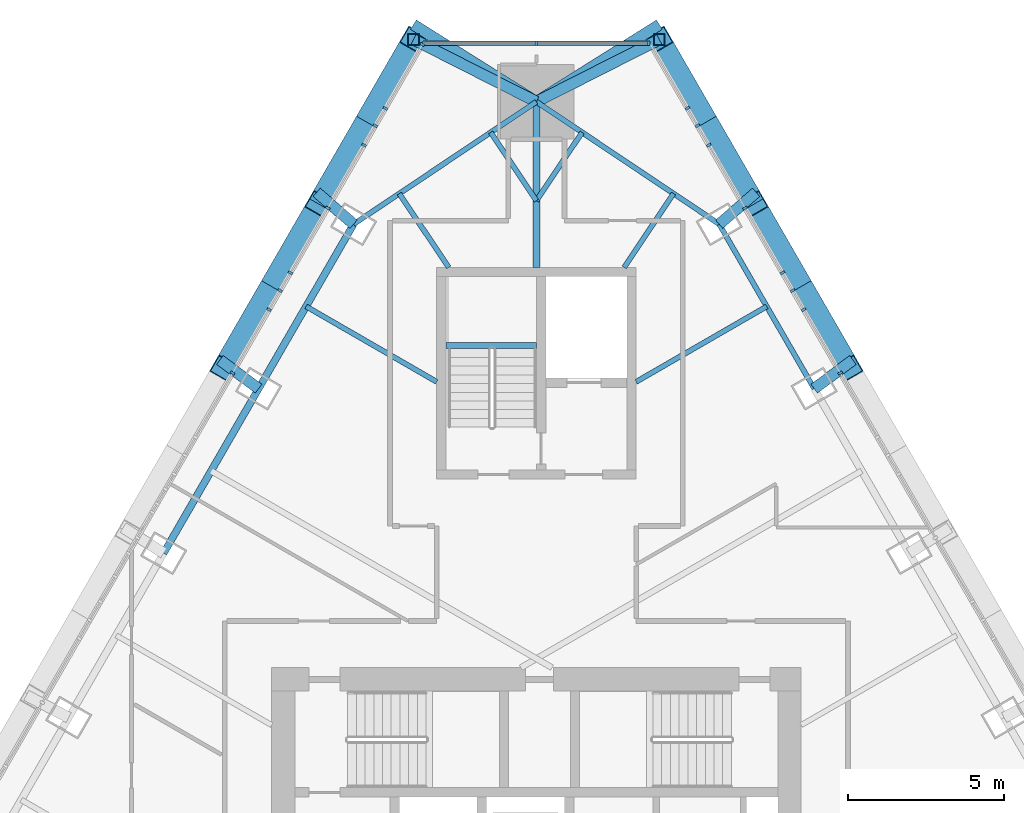
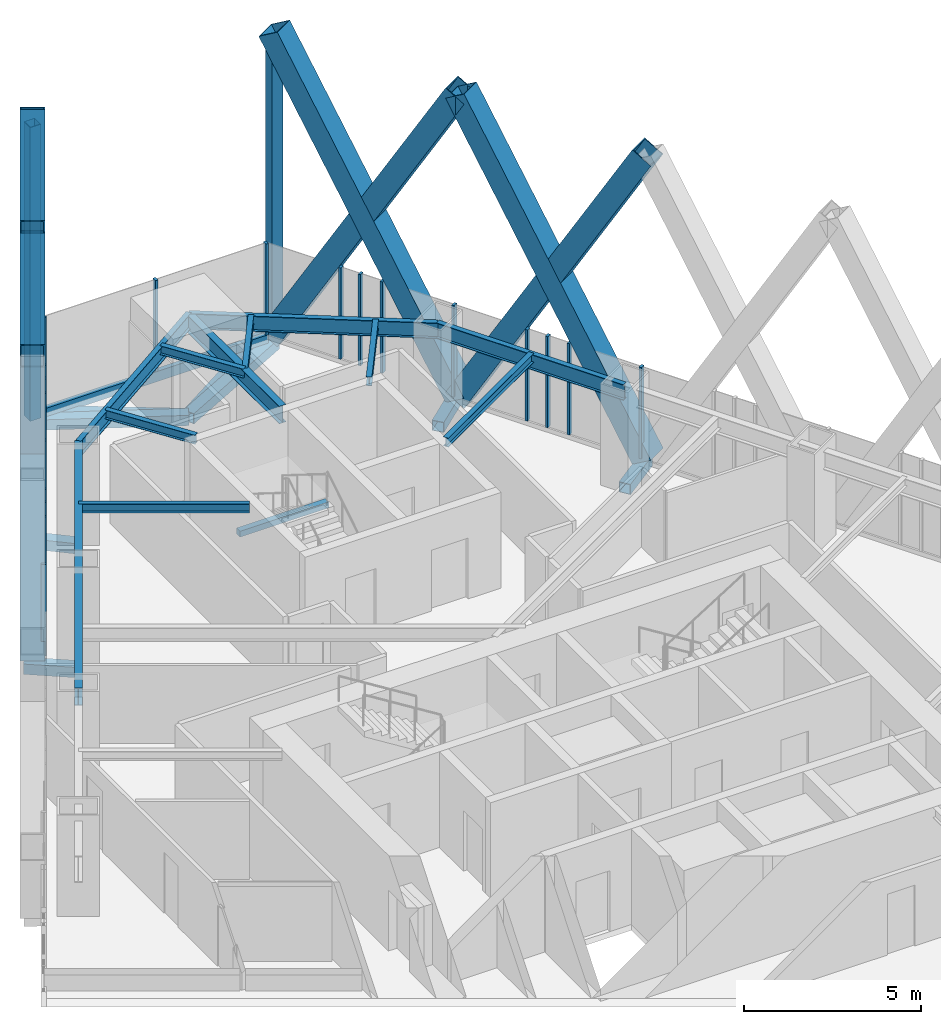
# One storey, part 9 of 23: 38 members, 12 beams, 3 elements without a shape of their own.
"""IFC4 building model written with IfcOpenShell, lengths in metres."""

from ifc_helpers import new_model, si_unit, direction, frame, origin, origin_2d, place, context, subcontext, project, spatial, rectangle, hollow_rectangle, i_section, extrude, material, layer, layer_set, material_profile, profile_set, type_object, element, aggregate, save


model = new_model("IFC4")

# Units and contexts
model_context = context("Model", 3, precision=1e-05, world=origin(), true_north=direction((0.0, 1.0)))
body_context = subcontext(model_context, "Body", "Model", "MODEL_VIEW")
ifc_project = project(units=[si_unit("LENGTHUNIT", "METRE"), si_unit("AREAUNIT", "SQUARE_METRE"), si_unit("VOLUMEUNIT", "CUBIC_METRE"), si_unit("PLANEANGLEUNIT", "RADIAN"), si_unit("MASSUNIT", "GRAM", prefix="KILO")], contexts=[model_context])

# Site, building, storey
site_placement = place(None, origin())
site = spatial("IfcSite", under=ifc_project, at=site_placement, CompositionType="ELEMENT")
building_placement = place(site_placement, origin())
building = spatial("IfcBuilding", under=site, at=building_placement, Name="Firuza Gate Tower and Library", CompositionType="ELEMENT")
storey_placement = place(building_placement, frame((0.0, 0.0, 302.10009765625)))
storey = spatial("IfcBuildingStorey", under=building, at=storey_placement, Name="L73", CompositionType="ELEMENT", Elevation=302.10009765625)

# Members
ifc_material_1 = material(Name="Steel S355", Category="steel")
ifc_material_profile_1 = material_profile(ifc_material_1, hollow_rectangle(XDim=0.699951171875, YDim=0.699951171875, WallThickness=0.030029296875, at=origin_2d()))
ifc_profile_set_1 = profile_set([ifc_material_profile_1], Name="Steel S355")
member_type_1 = type_object("IfcMemberType", Name="BU700x700x30 Lattice brace", PredefinedType="BRACE", material=ifc_profile_set_1)
for number, where, z_axis, x_axis, name in (
    (1, (85.04248046875, 91.356689453125, 0.0), (-0.251053441177, 0.434804049545, 0.86482229861), (-0.866008839158, -0.500028689677, 0.0), "Lattice brace E 19.6R"),
    (2, (81.994384765625, 96.6357421875, 0.0), (0.251053441177, -0.434804049545, 0.86482229861), (0.866008839158, 0.500028689677, 0.0), "Lattice brace E 19.6L"),
):
    element("IfcMember", number, at=place(storey_placement, frame(where, z_axis=z_axis, x_axis=x_axis)), inside=storey, type_object=member_type_1, Name=name, PredefinedType="BRACE", context=body_context, shape_type="SweptSolid", body=[
        extrude(hollow_rectangle(XDim=0.699951171875, YDim=0.699951171875, WallThickness=0.030029296875, at=origin_2d()), origin(), (0.0, 0.0, 1.0), 12.14111328125),
    ])
for number, where, z_axis, x_axis, name in (
    (3, (81.994384765625, 96.6357421875, 0.0), (-0.251051246141, 0.434820356151, 0.864814737206), (-0.866018852375, -0.500011347202, 0.0), "Lattice brace E 19.7R"),
    (4, (78.9462890625, 101.9150390625, 0.0), (0.251051246141, -0.434820356151, 0.864814737206), (0.866018852375, 0.500011347202, 0.0), "Lattice brace E 19.7L"),
    (5, (71.0537109375, 101.9150390625, 0.0), (-0.251051246141, -0.434820356151, 0.864814737206), (0.866018852375, -0.500011347202, 0.0), "Lattice brace W 19.1R"),
    (6, (68.005615234375, 96.6357421875, 0.0), (0.251051246141, 0.434820356151, 0.864814737206), (-0.866018852375, 0.500011347202, 0.0), "Lattice brace W 19.1L"),
):
    element("IfcMember", number, at=place(storey_placement, frame(where, z_axis=z_axis, x_axis=x_axis)), inside=storey, type_object=member_type_1, Name=name, PredefinedType="BRACE", context=body_context, shape_type="SweptSolid", body=[
        extrude(hollow_rectangle(XDim=0.699951171875, YDim=0.699951171875, WallThickness=0.030029296875, at=origin_2d()), origin(), (0.0, 0.0, 1.0), 12.141357421875),
    ])
for number, where, z_axis, x_axis, name in (
    (7, (68.005615234375, 96.6357421875, 0.0), (-0.251053441177, -0.434804049545, 0.86482229861), (0.866008839158, -0.500028689677, 0.0), "Lattice brace W 19.2R"),
    (8, (64.95751953125, 91.356689453125, 0.0), (0.251053441177, 0.434804049545, 0.86482229861), (-0.866008839158, 0.500028689677, 0.0), "Lattice brace W 19.2L"),
):
    element("IfcMember", number, at=place(storey_placement, frame(where, z_axis=z_axis, x_axis=x_axis)), inside=storey, type_object=member_type_1, Name=name, PredefinedType="BRACE", context=body_context, shape_type="SweptSolid", body=[
        extrude(hollow_rectangle(XDim=0.699951171875, YDim=0.699951171875, WallThickness=0.030029296875, at=origin_2d()), origin(), (0.0, 0.0, 1.0), 12.14111328125),
    ])

# Curtain wall, members
ifc_material_2 = material(Name="Aluminium 6063-T6", Category="aluminium")
ifc_layer_1 = layer(ifc_material_2, 0.14990234375)
ifc_layer_set_1 = layer_set([ifc_layer_1], Name="Unitised curtain wall, residences")
curtain_wall_type_1 = type_object("IfcCurtainWallType", Name="Unitised curtain wall, residences", PredefinedType="NOTDEFINED", material=ifc_layer_set_1)
placement = place(storey_placement, origin())
curtain_wall_1 = element("IfcCurtainWall", 9, at=placement, inside=storey, type_object=curtain_wall_type_1, Name="CW3 L73 E face", PredefinedType="NOTDEFINED")
ifc_material_3 = material(Name="Aluminium 6063-T6", Category="aluminium")
ifc_material_profile_2 = material_profile(ifc_material_3, rectangle(XDim=0.14990234375, YDim=0.080078125, at=origin_2d()))
ifc_profile_set_2 = profile_set([ifc_material_profile_2], Name="Aluminium 6063-T6")
member_type_2 = type_object("IfcMemberType", Name="Curtain wall mullion 80x150", PredefinedType="MULLION", material=ifc_profile_set_2)
member_1_placement = place(storey_placement, frame((84.751708984375, 91.210205078125, 0.14990234375), z_axis=(0.0, 0.0, 1.0), x_axis=(-0.866025403784, -0.5, 0.0)))
member_1 = element("IfcMember", 10, at=member_1_placement, type_object=member_type_2, Name="Mullion", PredefinedType="MULLION", context=body_context, shape_type="SweptSolid", body=[
    extrude(rectangle(XDim=0.14990234375, YDim=0.080078125, at=origin_2d()), origin(), (0.0, 0.0, 1.0), 3.14990234375),
])
member_2_placement = place(storey_placement, frame((83.224609375, 93.855224609375, 0.14990234375), z_axis=(0.0, 0.0, 1.0), x_axis=(-0.866025403784, -0.5, 0.0)))
member_2 = element("IfcMember", 11, at=member_2_placement, type_object=member_type_2, Name="Mullion", PredefinedType="MULLION", context=body_context, shape_type="SweptSolid", body=[
    extrude(rectangle(XDim=0.14990234375, YDim=0.080078125, at=origin_2d()), origin(), (0.0, 0.0, 1.0), 3.14990234375),
])
member_3_placement = place(storey_placement, frame((81.697509765625, 96.500244140625, 0.14990234375), z_axis=(0.0, 0.0, 1.0), x_axis=(-0.866025403784, -0.5, 0.0)))
member_3 = element("IfcMember", 12, at=member_3_placement, type_object=member_type_2, Name="Mullion", PredefinedType="MULLION", context=body_context, shape_type="SweptSolid", body=[
    extrude(rectangle(XDim=0.14990234375, YDim=0.080078125, at=origin_2d()), origin(), (0.0, 0.0, 1.0), 3.14990234375),
])
member_4_placement = place(storey_placement, frame((80.17041015625, 99.145263671875, 0.14990234375), z_axis=(0.0, 0.0, 1.0), x_axis=(-0.866025403784, -0.5, 0.0)))
member_4 = element("IfcMember", 13, at=member_4_placement, type_object=member_type_2, Name="Mullion", PredefinedType="MULLION", context=body_context, shape_type="SweptSolid", body=[
    extrude(rectangle(XDim=0.14990234375, YDim=0.080078125, at=origin_2d()), origin(), (0.0, 0.0, 1.0), 3.14990234375),
])
member_5_placement = place(storey_placement, frame((83.578125, 93.24267578125, 0.14990234375), z_axis=(0.0, 0.0, 1.0), x_axis=(-0.866025403784, -0.5, 0.0)))
member_5 = element("IfcMember", 14, at=member_5_placement, type_object=member_type_2, Name="Mullion", PredefinedType="MULLION", context=body_context, shape_type="SweptSolid", body=[
    extrude(rectangle(XDim=0.14990234375, YDim=0.080078125, at=origin_2d()), origin(), (0.0, 0.0, 1.0), 3.14990234375),
])
member_6_placement = place(storey_placement, frame((82.895751953125, 94.4248046875, 0.14990234375), z_axis=(0.0, 0.0, 1.0), x_axis=(-0.866025403784, -0.5, 0.0)))
member_6 = element("IfcMember", 15, at=member_6_placement, type_object=member_type_2, Name="Mullion", PredefinedType="MULLION", context=body_context, shape_type="SweptSolid", body=[
    extrude(rectangle(XDim=0.14990234375, YDim=0.080078125, at=origin_2d()), origin(), (0.0, 0.0, 1.0), 3.14990234375),
])
member_7_placement = place(storey_placement, frame((80.5302734375, 98.52197265625, 0.14990234375), z_axis=(0.0, 0.0, 1.0), x_axis=(-0.866025403784, -0.5, 0.0)))
member_7 = element("IfcMember", 16, at=member_7_placement, type_object=member_type_2, Name="Mullion", PredefinedType="MULLION", context=body_context, shape_type="SweptSolid", body=[
    extrude(rectangle(XDim=0.14990234375, YDim=0.080078125, at=origin_2d()), origin(), (0.0, 0.0, 1.0), 3.14990234375),
])
member_8_placement = place(storey_placement, frame((79.84765625, 99.7041015625, 0.14990234375), z_axis=(0.0, 0.0, 1.0), x_axis=(-0.866025403784, -0.5, 0.0)))
member_8 = element("IfcMember", 17, at=member_8_placement, type_object=member_type_2, Name="Mullion", PredefinedType="MULLION", context=body_context, shape_type="SweptSolid", body=[
    extrude(rectangle(XDim=0.14990234375, YDim=0.080078125, at=origin_2d()), origin(), (0.0, 0.0, 1.0), 3.14990234375),
])
aggregate(curtain_wall_1, [member_1, member_2, member_3, member_4, member_5, member_6, member_7, member_8])

ifc_material_4 = material(Name="Aluminium 6063-T6", Category="aluminium")
ifc_layer_2 = layer(ifc_material_4, 0.14990234375)
ifc_layer_set_2 = layer_set([ifc_layer_2], Name="Corner curtain wall, chamfers")
curtain_wall_type_2 = type_object("IfcCurtainWallType", Name="Corner curtain wall, chamfers", PredefinedType="NOTDEFINED", material=ifc_layer_set_2)
curtain_wall_2 = element("IfcCurtainWall", 18, at=placement, inside=storey, type_object=curtain_wall_type_2, Name="CW4 L73 N corner", PredefinedType="NOTDEFINED")
member_9_placement = place(storey_placement, frame((78.603271484375, 101.7900390625, 0.14990234375), z_axis=(0.0, 0.0, 1.0), x_axis=(0.0, -1.0, 0.0)))
member_9 = element("IfcMember", 19, at=member_9_placement, type_object=member_type_2, Name="Mullion", PredefinedType="MULLION", context=body_context, shape_type="SweptSolid", body=[
    extrude(rectangle(XDim=0.14990234375, YDim=0.080078125, at=origin_2d()), origin(), (0.0, 0.0, 1.0), 3.14990234375),
])
member_10_placement = place(storey_placement, frame((75.0, 101.7900390625, 0.14990234375), z_axis=(0.0, 0.0, 1.0), x_axis=(0.0, -1.0, 0.0)))
member_10 = element("IfcMember", 20, at=member_10_placement, type_object=member_type_2, Name="Mullion", PredefinedType="MULLION", context=body_context, shape_type="SweptSolid", body=[
    extrude(rectangle(XDim=0.14990234375, YDim=0.080078125, at=origin_2d()), origin(), (0.0, 0.0, 1.0), 3.14990234375),
])

curtain_wall_3 = element("IfcCurtainWall", 21, at=placement, inside=storey, type_object=curtain_wall_type_1, Name="CW3 L73 W face", PredefinedType="NOTDEFINED")
member_11_placement = place(storey_placement, frame((71.336669921875, 101.755615234375, 0.14990234375), z_axis=(0.0, 0.0, 1.0), x_axis=(0.866025403784, -0.5, 0.0)))
member_11 = element("IfcMember", 22, at=member_11_placement, type_object=member_type_2, Name="Mullion", PredefinedType="MULLION", context=body_context, shape_type="SweptSolid", body=[
    extrude(rectangle(XDim=0.14990234375, YDim=0.080078125, at=origin_2d()), origin(), (0.0, 0.0, 1.0), 3.14990234375),
])
member_12_placement = place(storey_placement, frame((69.82958984375, 99.145263671875, 0.14990234375), z_axis=(0.0, 0.0, 1.0), x_axis=(0.866025403784, -0.5, 0.0)))
member_12 = element("IfcMember", 23, at=member_12_placement, type_object=member_type_2, Name="Mullion", PredefinedType="MULLION", context=body_context, shape_type="SweptSolid", body=[
    extrude(rectangle(XDim=0.14990234375, YDim=0.080078125, at=origin_2d()), origin(), (0.0, 0.0, 1.0), 3.14990234375),
])
member_13_placement = place(storey_placement, frame((68.302490234375, 96.500244140625, 0.14990234375), z_axis=(0.0, 0.0, 1.0), x_axis=(0.866025403784, -0.5, 0.0)))
member_13 = element("IfcMember", 24, at=member_13_placement, type_object=member_type_2, Name="Mullion", PredefinedType="MULLION", context=body_context, shape_type="SweptSolid", body=[
    extrude(rectangle(XDim=0.14990234375, YDim=0.080078125, at=origin_2d()), origin(), (0.0, 0.0, 1.0), 3.14990234375),
])
member_14_placement = place(storey_placement, frame((66.775390625, 93.855224609375, 0.14990234375), z_axis=(0.0, 0.0, 1.0), x_axis=(0.866025403784, -0.5, 0.0)))
member_14 = element("IfcMember", 25, at=member_14_placement, type_object=member_type_2, Name="Mullion", PredefinedType="MULLION", context=body_context, shape_type="SweptSolid", body=[
    extrude(rectangle(XDim=0.14990234375, YDim=0.080078125, at=origin_2d()), origin(), (0.0, 0.0, 1.0), 3.14990234375),
])
member_15_placement = place(storey_placement, frame((65.248291015625, 91.210205078125, 0.14990234375), z_axis=(0.0, 0.0, 1.0), x_axis=(0.866025403784, -0.5, 0.0)))
member_15 = element("IfcMember", 26, at=member_15_placement, type_object=member_type_2, Name="Mullion", PredefinedType="MULLION", context=body_context, shape_type="SweptSolid", body=[
    extrude(rectangle(XDim=0.14990234375, YDim=0.080078125, at=origin_2d()), origin(), (0.0, 0.0, 1.0), 3.14990234375),
])
member_16_placement = place(storey_placement, frame((70.15234375, 99.7041015625, 0.14990234375), z_axis=(0.0, 0.0, 1.0), x_axis=(0.866025403784, -0.5, 0.0)))
member_16 = element("IfcMember", 27, at=member_16_placement, type_object=member_type_2, Name="Mullion", PredefinedType="MULLION", context=body_context, shape_type="SweptSolid", body=[
    extrude(rectangle(XDim=0.14990234375, YDim=0.080078125, at=origin_2d()), origin(), (0.0, 0.0, 1.0), 3.14990234375),
])
member_17_placement = place(storey_placement, frame((69.4697265625, 98.52197265625, 0.14990234375), z_axis=(0.0, 0.0, 1.0), x_axis=(0.866025403784, -0.5, 0.0)))
member_17 = element("IfcMember", 28, at=member_17_placement, type_object=member_type_2, Name="Mullion", PredefinedType="MULLION", context=body_context, shape_type="SweptSolid", body=[
    extrude(rectangle(XDim=0.14990234375, YDim=0.080078125, at=origin_2d()), origin(), (0.0, 0.0, 1.0), 3.14990234375),
])
member_18_placement = place(storey_placement, frame((67.104248046875, 94.4248046875, 0.14990234375), z_axis=(0.0, 0.0, 1.0), x_axis=(0.866025403784, -0.5, 0.0)))
member_18 = element("IfcMember", 29, at=member_18_placement, type_object=member_type_2, Name="Mullion", PredefinedType="MULLION", context=body_context, shape_type="SweptSolid", body=[
    extrude(rectangle(XDim=0.14990234375, YDim=0.080078125, at=origin_2d()), origin(), (0.0, 0.0, 1.0), 3.14990234375),
])
member_19_placement = place(storey_placement, frame((66.421875, 93.24267578125, 0.14990234375), z_axis=(0.0, 0.0, 1.0), x_axis=(0.866025403784, -0.5, 0.0)))
member_19 = element("IfcMember", 30, at=member_19_placement, type_object=member_type_2, Name="Mullion", PredefinedType="MULLION", context=body_context, shape_type="SweptSolid", body=[
    extrude(rectangle(XDim=0.14990234375, YDim=0.080078125, at=origin_2d()), origin(), (0.0, 0.0, 1.0), 3.14990234375),
])
aggregate(curtain_wall_3, [member_11, member_12, member_13, member_14, member_15, member_16, member_17, member_18, member_19])

# Member
ifc_material_5 = material(Name="Aluminium 6063-T6", Category="aluminium")
ifc_material_profile_3 = material_profile(ifc_material_5, rectangle(XDim=0.14990234375, YDim=0.35009765625, at=origin_2d()))
ifc_profile_set_3 = profile_set([ifc_material_profile_3], Name="Aluminium 6063-T6")
member_type_3 = type_object("IfcMemberType", Name="Curtain wall transom 350x150", PredefinedType="USERDEFINED", material=ifc_profile_set_3)
member_20_placement = place(storey_placement, frame((78.643310546875, 101.7900390625, -0.025146484375), z_axis=(-1.0, 0.0, 0.0), x_axis=(0.0, -1.0, 0.0)))
member_20 = element("IfcMember", 31, at=member_20_placement, type_object=member_type_3, Name="Transom", ObjectType="TRANSOM", PredefinedType="USERDEFINED", context=body_context, shape_type="SweptSolid", body=[
    extrude(rectangle(XDim=0.14990234375, YDim=0.35009765625, at=origin_2d()), origin(), (0.0, 0.0, 1.0), 7.28662109375),
])

aggregate(curtain_wall_2, [member_9, member_10, member_20])

# Members
ifc_material_6 = material(Name="Steel S355", Category="steel")
ifc_material_profile_4 = material_profile(ifc_material_6, hollow_rectangle(XDim=0.355712890625, YDim=0.355712890625, WallThickness=0.014892578125, at=origin_2d()))
ifc_profile_set_4 = profile_set([ifc_material_profile_4], Name="Steel S355")
member_type_4 = type_object("IfcMemberType", Name="HSS356x356x16 Lattice corner stile", PredefinedType="BRACE", material=ifc_profile_set_4)
for number, where, z_axis, x_axis, name in (
    (32, (78.9462890625, 101.9150390625, -0.14013671875), (0.0, 0.0, 1.0), (1.0, 0.0, 0.0), "Lattice corner stile E 19.B"),
    (33, (71.0537109375, 101.9150390625, -0.14013671875), (0.0, 0.0, 1.0), (1.0, 0.0, 0.0), "Lattice corner stile W 19.A"),
):
    element("IfcMember", number, at=place(storey_placement, frame(where, z_axis=z_axis, x_axis=x_axis)), inside=storey, type_object=member_type_4, Name=name, PredefinedType="BRACE", context=body_context, shape_type="SweptSolid", body=[
        extrude(hollow_rectangle(XDim=0.355712890625, YDim=0.355712890625, WallThickness=0.014892578125, at=origin_2d()), origin(), (0.0, 0.0, 1.0), 10.14013671875),
    ])
ifc_material_7 = material(Name="Steel S355", Category="steel")
ifc_material_profile_5 = material_profile(ifc_material_7, hollow_rectangle(XDim=0.355712890625, YDim=0.355712890625, WallThickness=0.014892578125, at=origin_2d()))
ifc_profile_set_5 = profile_set([ifc_material_profile_5], Name="Steel S355")
member_type_5 = type_object("IfcMemberType", Name="HSS356x356x16 Lattice node tie", PredefinedType="BRACE", material=ifc_profile_set_5)
member_21_placement = place(storey_placement, frame((75.0, 99.9150390625, -0.320068359375), z_axis=(0.847231810719, 0.531223360655, 0.0), x_axis=(-0.531223360655, 0.847231810719, 0.0)))
element("IfcMember", 34, at=member_21_placement, inside=storey, type_object=member_type_5, Name="Lattice node tie E L73 499", PredefinedType="BRACE", context=body_context, shape_type="SweptSolid", body=[
    extrude(hollow_rectangle(XDim=0.355712890625, YDim=0.355712890625, WallThickness=0.014892578125, at=origin_2d()), origin(), (0.0, 0.0, 1.0), 4.657958984375),
])
member_22_placement = place(storey_placement, frame((75.0, 99.9150390625, -0.320068359375), z_axis=(0.891985934506, 0.452063151168, 0.0), x_axis=(-0.452063151168, 0.891985934506, 0.0)))
element("IfcMember", 35, at=member_22_placement, inside=storey, type_object=member_type_5, Name="Lattice node tie E L73 500", PredefinedType="BRACE", context=body_context, shape_type="SweptSolid", body=[
    extrude(hollow_rectangle(XDim=0.355712890625, YDim=0.355712890625, WallThickness=0.014892578125, at=origin_2d()), origin(), (0.0, 0.0, 1.0), 4.424072265625),
])
member_23_placement = place(storey_placement, frame((80.86865234375, 95.98583984375, -0.320068359375), z_axis=(0.75686159645, 0.65357518605, 0.0), x_axis=(-0.65357518605, 0.75686159645, 0.0)))
element("IfcMember", 36, at=member_23_placement, inside=storey, type_object=member_type_5, Name="Lattice node tie E L73 501", PredefinedType="BRACE", context=body_context, shape_type="SweptSolid", body=[
    extrude(hollow_rectangle(XDim=0.355712890625, YDim=0.355712890625, WallThickness=0.014892578125, at=origin_2d()), origin(), (0.0, 0.0, 1.0), 1.564697265625),
])
for number, where, z_axis, x_axis, name in (
    (37, (83.91650390625, 90.70654296875, -0.320068359375), (0.803546011231, 0.595242646183, 0.0), (-0.595242646183, 0.803546011231, 0.0), "Lattice node tie E L73 502"),
    (38, (66.08349609375, 90.70654296875, -0.320068359375), (-0.803546011231, 0.595242646183, 0.0), (-0.595242646183, -0.803546011231, 0.0), "Lattice node tie W L73 525"),
):
    element("IfcMember", number, at=place(storey_placement, frame(where, z_axis=z_axis, x_axis=x_axis)), inside=storey, type_object=member_type_5, Name=name, PredefinedType="BRACE", context=body_context, shape_type="SweptSolid", body=[
        extrude(hollow_rectangle(XDim=0.355712890625, YDim=0.355712890625, WallThickness=0.014892578125, at=origin_2d()), origin(), (0.0, 0.0, 1.0), 1.547119140625),
    ])
member_24_placement = place(storey_placement, frame((69.13134765625, 95.98583984375, -0.320068359375), z_axis=(-0.75686159645, 0.65357518605, 0.0), x_axis=(-0.65357518605, -0.75686159645, 0.0)))
element("IfcMember", 39, at=member_24_placement, inside=storey, type_object=member_type_5, Name="Lattice node tie W L73 526", PredefinedType="BRACE", context=body_context, shape_type="SweptSolid", body=[
    extrude(hollow_rectangle(XDim=0.355712890625, YDim=0.355712890625, WallThickness=0.014892578125, at=origin_2d()), origin(), (0.0, 0.0, 1.0), 1.564697265625),
])
member_25_placement = place(storey_placement, frame((75.0, 99.9150390625, -0.320068359375), z_axis=(-0.847231810719, 0.531223360655, 0.0), x_axis=(-0.531223360655, -0.847231810719, 0.0)))
element("IfcMember", 40, at=member_25_placement, inside=storey, type_object=member_type_5, Name="Lattice node tie W L73 527", PredefinedType="BRACE", context=body_context, shape_type="SweptSolid", body=[
    extrude(hollow_rectangle(XDim=0.355712890625, YDim=0.355712890625, WallThickness=0.014892578125, at=origin_2d()), origin(), (0.0, 0.0, 1.0), 4.657958984375),
])
member_26_placement = place(storey_placement, frame((75.0, 99.9150390625, -0.320068359375), z_axis=(-0.891985934506, 0.452063151168, 0.0), x_axis=(-0.452063151168, -0.891985934506, 0.0)))
element("IfcMember", 41, at=member_26_placement, inside=storey, type_object=member_type_5, Name="Lattice node tie W L73 528", PredefinedType="BRACE", context=body_context, shape_type="SweptSolid", body=[
    extrude(hollow_rectangle(XDim=0.355712890625, YDim=0.355712890625, WallThickness=0.014892578125, at=origin_2d()), origin(), (0.0, 0.0, 1.0), 4.424072265625),
])

# Beams
ifc_material_8 = material(Name="Concrete C35/45", Category="concrete")
ifc_material_profile_6 = material_profile(ifc_material_8, rectangle(XDim=0.199951171875, YDim=0.199951171875, at=origin_2d()))
ifc_profile_set_6 = profile_set([ifc_material_profile_6], Name="Concrete C35/45")
beam_type_1 = type_object("IfcBeamType", Name="Stair landing bearer 200x200", PredefinedType="BEAM", material=ifc_profile_set_6)
beam_1_placement = place(storey_placement, frame((75.0, 92.090087890625, 1.449951171875), z_axis=(-1.0, 0.0, 0.0), x_axis=(0.0, -1.0, 0.0)))
element("IfcBeam", 42, at=beam_1_placement, inside=storey, type_object=beam_type_1, Name="Landing bearer L73 stair 3", PredefinedType="BEAM", context=body_context, shape_type="SweptSolid", body=[
    extrude(rectangle(XDim=0.199951171875, YDim=0.199951171875, at=origin_2d()), origin(), (0.0, 0.0, 1.0), 2.89990234375),
])
ifc_material_9 = material(Name="Steel S355", Category="steel")
ifc_material_profile_7 = material_profile(ifc_material_9, i_section(OverallWidth=0.1650390625, OverallDepth=0.31005859375, WebThickness=0.005859375, FlangeThickness=0.009765625, at=origin_2d()))
ifc_profile_set_7 = profile_set([ifc_material_profile_7], Name="Steel S355")
beam_type_2 = type_object("IfcBeamType", Name="W310x39 Floor beam", PredefinedType="JOIST", material=ifc_profile_set_7)
beam_2_placement = place(storey_placement, frame((82.392578125, 93.34619140625, 3.14501953125), z_axis=(-0.866021826347, -0.500006196252, 0.0), x_axis=(0.500006196252, -0.866021826347, 0.0)))
element("IfcBeam", 43, at=beam_2_placement, inside=storey, type_object=beam_type_2, Name="Floor beam L73 s54", PredefinedType="JOIST", context=body_context, shape_type="SweptSolid", body=[
    extrude(i_section(OverallWidth=0.1650390625, OverallDepth=0.31005859375, WebThickness=0.005859375, FlangeThickness=0.009765625, at=origin_2d()), origin(), (0.0, 0.0, 1.0), 4.84130859375),
])
beam_3_placement = place(storey_placement, frame((79.4013671875, 96.96826171875, 3.14501953125), z_axis=(-0.556320222959, -0.830967995489, 0.0), x_axis=(0.830967995489, -0.556320222959, 0.0)))
element("IfcBeam", 44, at=beam_3_placement, inside=storey, type_object=beam_type_2, Name="Floor beam L73 s60", PredefinedType="JOIST", context=body_context, shape_type="SweptSolid", body=[
    extrude(i_section(OverallWidth=0.1650390625, OverallDepth=0.31005859375, WebThickness=0.005859375, FlangeThickness=0.009765625, at=origin_2d()), origin(), (0.0, 0.0, 1.0), 2.849853515625),
])
for number, where, z_axis, x_axis, name in (
    (45, (76.467041015625, 98.932861328125, 3.14501953125), (-0.556344279154, -0.830951889734, 0.0), (0.830951889734, -0.556344279154, 0.0), "Floor beam L73 s61"),
    (46, (73.532958984375, 98.932861328125, 3.14501953125), (0.556344279154, -0.830951889734, 0.0), (0.830951889734, 0.556344279154, 0.0), "Floor beam L73 s70"),
):
    element("IfcBeam", number, at=place(storey_placement, frame(where, z_axis=z_axis, x_axis=x_axis)), inside=storey, type_object=beam_type_2, Name=name, PredefinedType="JOIST", context=body_context, shape_type="SweptSolid", body=[
        extrude(i_section(OverallWidth=0.1650390625, OverallDepth=0.31005859375, WebThickness=0.005859375, FlangeThickness=0.009765625, at=origin_2d()), origin(), (0.0, 0.0, 1.0), 2.636962890625),
    ])
beam_4_placement = place(storey_placement, frame((70.5986328125, 96.96826171875, 3.14501953125), z_axis=(0.556320222959, -0.830967995489, 0.0), x_axis=(0.830967995489, 0.556320222959, 0.0)))
element("IfcBeam", 47, at=beam_4_placement, inside=storey, type_object=beam_type_2, Name="Floor beam L73 s71", PredefinedType="JOIST", context=body_context, shape_type="SweptSolid", body=[
    extrude(i_section(OverallWidth=0.1650390625, OverallDepth=0.31005859375, WebThickness=0.005859375, FlangeThickness=0.009765625, at=origin_2d()), origin(), (0.0, 0.0, 1.0), 2.849853515625),
])
beam_5_placement = place(storey_placement, frame((67.607421875, 93.34619140625, 3.14501953125), z_axis=(0.866021826347, -0.500006196252, 0.0), x_axis=(0.500006196252, 0.866021826347, 0.0)))
element("IfcBeam", 48, at=beam_5_placement, inside=storey, type_object=beam_type_2, Name="Floor beam L73 s80", PredefinedType="JOIST", context=body_context, shape_type="SweptSolid", body=[
    extrude(i_section(OverallWidth=0.1650390625, OverallDepth=0.31005859375, WebThickness=0.005859375, FlangeThickness=0.009765625, at=origin_2d()), origin(), (0.0, 0.0, 1.0), 4.84130859375),
])
ifc_material_10 = material(Name="Steel S355", Category="steel")
ifc_material_profile_8 = material_profile(ifc_material_10, i_section(OverallWidth=0.166015625, OverallDepth=0.534912109375, WebThickness=0.01025390625, FlangeThickness=0.0166015625, at=origin_2d()))
ifc_profile_set_8 = profile_set([ifc_material_profile_8], Name="Steel S355")
beam_type_3 = type_object("IfcBeamType", Name="W530x85 Edge beam", PredefinedType="SPANDREL", material=ifc_profile_set_8)
beam_6_placement = place(storey_placement, frame((83.91650390625, 90.70654296875, 3.032470703125), z_axis=(-0.49998131003, 0.866036194175, 0.0), x_axis=(-0.866036194175, -0.49998131003, 0.0)))
element("IfcBeam", 49, at=beam_6_placement, inside=storey, type_object=beam_type_3, Name="Edge beam L73 e54", PredefinedType="SPANDREL", context=body_context, shape_type="SweptSolid", body=[
    extrude(i_section(OverallWidth=0.166015625, OverallDepth=0.534912109375, WebThickness=0.01025390625, FlangeThickness=0.0166015625, at=origin_2d()), origin(), (0.0, 0.0, 1.0), 6.095947265625),
])
for number, where, z_axis, x_axis, name in (
    (50, (80.86865234375, 95.98583984375, 3.032470703125), (-0.830953121898, 0.556342438798, 0.0), (-0.556342438798, -0.830953121898, 0.0), "Edge beam L73 e60"),
    (51, (75.0, 99.9150390625, 3.032470703125), (-0.830953121898, -0.556342438798, 0.0), (0.556342438798, -0.830953121898, 0.0), "Edge beam L73 e70"),
):
    element("IfcBeam", number, at=place(storey_placement, frame(where, z_axis=z_axis, x_axis=x_axis)), inside=storey, type_object=beam_type_3, Name=name, PredefinedType="SPANDREL", context=body_context, shape_type="SweptSolid", body=[
        extrude(i_section(OverallWidth=0.166015625, OverallDepth=0.534912109375, WebThickness=0.01025390625, FlangeThickness=0.0166015625, at=origin_2d()), origin(), (0.0, 0.0, 1.0), 7.0625),
    ])
ifc_material_11 = material(Name="Steel S355", Category="steel")
ifc_material_profile_9 = material_profile(ifc_material_11, i_section(OverallWidth=0.22802734375, OverallDepth=0.60302734375, WebThickness=0.010498046875, FlangeThickness=0.014892578125, at=origin_2d()))
ifc_profile_set_9 = profile_set([ifc_material_profile_9], Name="Steel S355")
beam_type_4 = type_object("IfcBeamType", Name="W610x101 Girder", PredefinedType="BEAM", material=ifc_profile_set_9)
beam_7_placement = place(storey_placement, frame((75.0, 99.9150390625, 2.998291015625), z_axis=(0.0, -1.0, 0.0), x_axis=(1.0, 0.0, 0.0)))
element("IfcBeam", 52, at=beam_7_placement, inside=storey, type_object=beam_type_4, Name="Girder L73 gN", PredefinedType="BEAM", context=body_context, shape_type="SweptSolid", body=[
    extrude(i_section(OverallWidth=0.22802734375, OverallDepth=0.60302734375, WebThickness=0.010498046875, FlangeThickness=0.014892578125, at=origin_2d()), origin(), (0.0, 0.0, 1.0), 5.31494140625),
])
ifc_material_12 = material(Name="Steel S355", Category="steel")
ifc_material_profile_10 = material_profile(ifc_material_12, i_section(OverallWidth=0.22900390625, OverallDepth=0.612060546875, WebThickness=0.011962890625, FlangeThickness=0.01953125, at=origin_2d()))
ifc_profile_set_10 = profile_set([ifc_material_profile_10], Name="Steel S355")
beam_type_5 = type_object("IfcBeamType", Name="W610x125 Edge beam", PredefinedType="SPANDREL", material=ifc_profile_set_10)
beam_8_placement = place(storey_placement, frame((69.13134765625, 95.98583984375, 2.993896484375), z_axis=(-0.499996328842, -0.866027523318, 0.0), x_axis=(0.866027523318, -0.499996328842, 0.0)))
element("IfcBeam", 53, at=beam_8_placement, inside=storey, type_object=beam_type_5, Name="Edge beam L73 e80", PredefinedType="SPANDREL", context=body_context, shape_type="SweptSolid", body=[
    extrude(i_section(OverallWidth=0.22900390625, OverallDepth=0.612060546875, WebThickness=0.011962890625, FlangeThickness=0.01953125, at=origin_2d()), origin(), (0.0, 0.0, 1.0), 12.19189453125),
])

save(model, "model.ifc")
